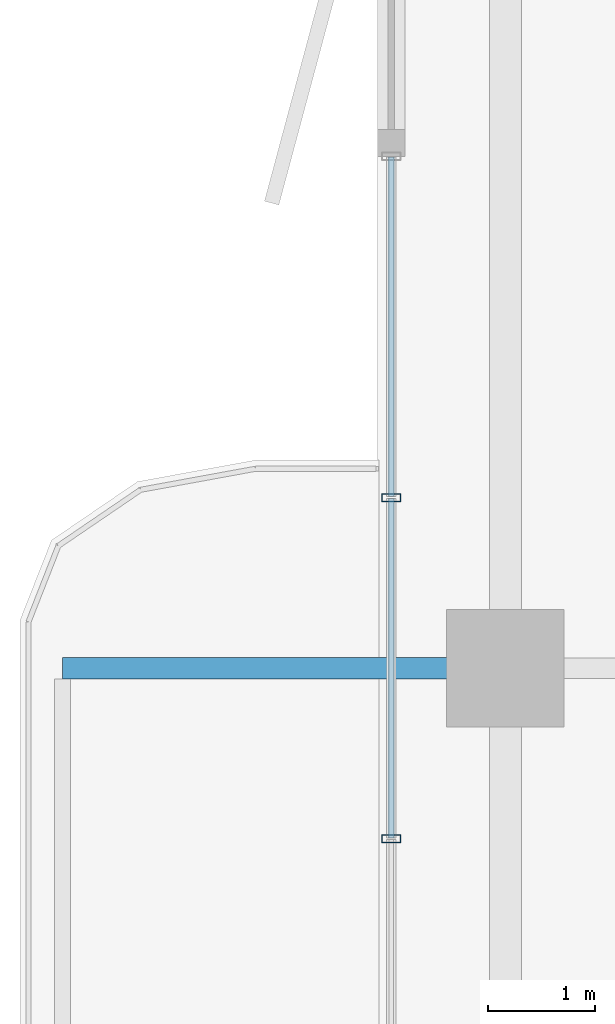
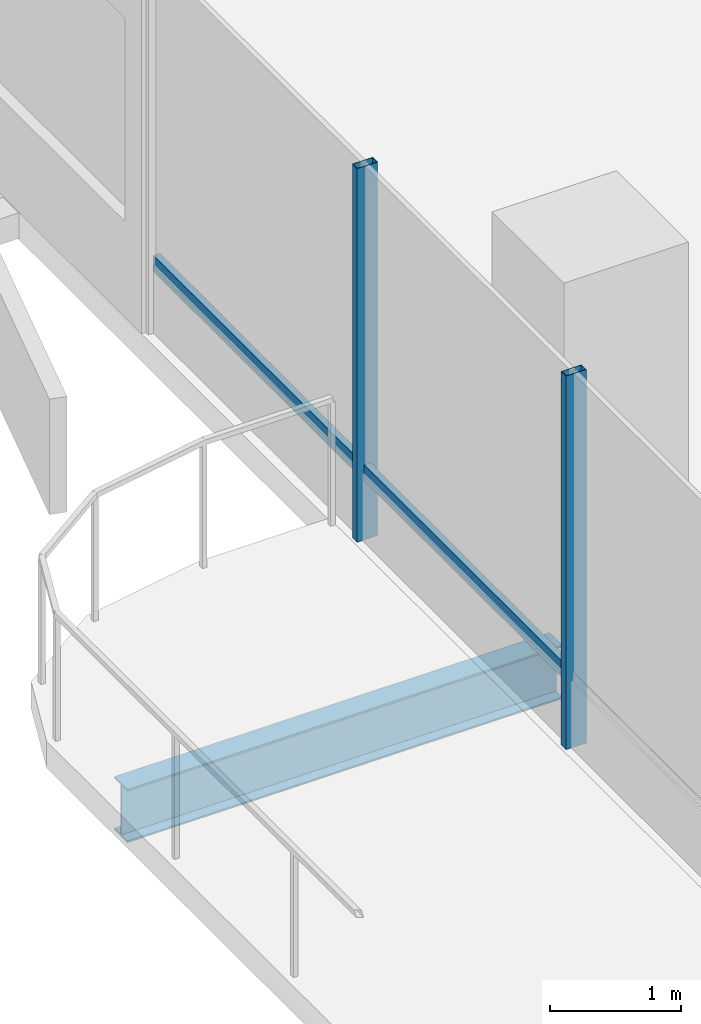
# One storey, part 6 of 24: 4 members, 1 beam, 1 element without a shape of its own.
"""IFC4 building model written with IfcOpenShell, lengths in metres."""

import ifcopenshell
import ifcopenshell.guid

model = None  # the IFC model being written
_history = None  # IfcOwnerHistory: only IFC2X3 demands one
_inside = {}  # id of a spatial element -> (the spatial element, [elements in it])
_under = {}  # id of a project, library or spatial element -> (it, [spatial elements below it])
_declared = {}  # id of a project -> (the project, [libraries it declares])
_typed = {}  # id of a type object -> (the type object, [elements of that type])
_made_of = {}  # id of a material, layer set ... -> (it, [elements and type objects made of it])


def new_model(schema):
    """Start an empty IFC model of exactly this schema.

    Asked for "IFC4X3", IfcOpenShell would pick the latest addendum, in which some entities
    have other attributes; the version numbers below select the first issue.
    IFC2X3 requires an IfcOwnerHistory on every rooted entity: one is made here for all.
    """
    global model, _history
    if schema == "IFC4X3":
        model = ifcopenshell.file(schema_version=(4, 3, 0, 0))
    else:
        model = ifcopenshell.file(schema=schema)
    _inside.clear()
    _under.clear()
    _declared.clear()
    _typed.clear()
    _made_of.clear()
    _history = None
    if model.schema == "IFC2X3":
        org = make("IfcOrganization", Name="unknown")
        user = make(
            "IfcPersonAndOrganization",
            ThePerson=make("IfcPerson", FamilyName="unknown"),
            TheOrganization=org,
        )
        app = make(
            "IfcApplication",
            ApplicationDeveloper=org,
            Version="unknown",
            ApplicationFullName="unknown",
            ApplicationIdentifier="unknown",
        )
        _history = make(
            "IfcOwnerHistory",
            OwningUser=user,
            OwningApplication=app,
            ChangeAction="ADDED",
            CreationDate=0,
        )
    return model


def make(cls, **values):
    """One entity of the class cls with the attributes given. An attribute that is None is left unset."""
    return model.create_entity(
        cls, **{name: value for name, value in values.items() if value is not None}
    )


def rooted(cls, **values):
    """An entity with a GlobalId (a new one), such as an element, a storey or a relation."""
    return make(cls, GlobalId=ifcopenshell.guid.new(), OwnerHistory=_history, **values)


def si_unit(unit_type, name, prefix=None):
    """IfcSIUnit, for example si_unit("LENGTHUNIT", "METRE", prefix="MILLI")."""
    return make("IfcSIUnit", UnitType=unit_type, Prefix=prefix, Name=name)


def assignment(units):
    """IfcUnitAssignment: the units of a project."""
    return None if units is None else make("IfcUnitAssignment", Units=units)


def point(xyz):
    """IfcCartesianPoint."""
    return None if xyz is None else make("IfcCartesianPoint", Coordinates=xyz)


def direction(xyz):
    """IfcDirection."""
    return None if xyz is None else make("IfcDirection", DirectionRatios=xyz)


def frame(location, z_axis=None, x_axis=None):
    """IfcAxis2Placement3D, a coordinate frame: its origin and axes. An axis left out is left unset."""
    return make(
        "IfcAxis2Placement3D",
        Location=point(location),
        Axis=direction(z_axis),
        RefDirection=direction(x_axis),
    )


def frame_2d(location, x_axis=None):
    """IfcAxis2Placement2D, a coordinate frame in the plane: its origin and x axis."""
    return make(
        "IfcAxis2Placement2D", Location=point(location), RefDirection=direction(x_axis)
    )


def origin():
    """The frame at (0, 0, 0) with its axes left unset."""
    return frame((0.0, 0.0, 0.0))


def origin_2d():
    """The frame at (0, 0) in the plane with its x axis left unset."""
    return frame_2d((0.0, 0.0))


def place(relative_to, where):
    """IfcLocalPlacement: puts the frame where relative to a parent placement (None: the world)."""
    return make(
        "IfcLocalPlacement", PlacementRelTo=relative_to, RelativePlacement=where
    )


def context(
    kind, dimensions, precision=None, world=None, true_north=None, identifier=None
):
    """IfcGeometricRepresentationContext, for example the 3D "Model" context."""
    return make(
        "IfcGeometricRepresentationContext",
        ContextIdentifier=identifier,
        ContextType=kind,
        CoordinateSpaceDimension=dimensions,
        Precision=precision,
        WorldCoordinateSystem=world,
        TrueNorth=true_north,
    )


def subcontext(parent, identifier, kind, view, scale=None):
    """IfcGeometricRepresentationSubContext, for example "Body" below "Model"."""
    return make(
        "IfcGeometricRepresentationSubContext",
        ContextIdentifier=identifier,
        ContextType=kind,
        ParentContext=parent,
        TargetScale=scale,
        TargetView=view,
    )


def project(units=None, contexts=None):
    """IfcProject with its units and contexts."""
    return rooted(
        "IfcProject",
        Name="project",
        RepresentationContexts=contexts,
        UnitsInContext=assignment(units),
    )


def spatial(cls, under=None, at=None, **own):
    """A site, building, storey or space (cls), placed at a placement, below another one or the project."""
    s = rooted(cls, ObjectPlacement=at, **own)
    if under is not None:
        _under.setdefault(under.id(), (under, []))[1].append(s)
    return s


def profile(cls, at=None, kind="AREA", **sizes):
    """A parametric profile (cls). Its sizes go by their IFC names, for example OverallWidth=200.0."""
    return make(cls, ProfileType=kind, Position=at, **sizes)


def hollow_rectangle(**sizes):
    """IfcRectangleHollowProfileDef."""
    return profile("IfcRectangleHollowProfileDef", **sizes)


def i_section(**sizes):
    """IfcIShapeProfileDef."""
    return profile("IfcIShapeProfileDef", **sizes)


def extrude(swept, where, along, depth):
    """IfcExtrudedAreaSolid: the profile swept, set in the frame where, extruded along a direction by depth."""
    return make(
        "IfcExtrudedAreaSolid",
        SweptArea=swept,
        Position=where,
        ExtrudedDirection=direction(along),
        Depth=depth,
    )


def shape(context_of_items, identifier, shape_type, items):
    """IfcShapeRepresentation: the items that make up one representation, for example the "Body"."""
    return make(
        "IfcShapeRepresentation",
        ContextOfItems=context_of_items,
        RepresentationIdentifier=identifier,
        RepresentationType=shape_type,
        Items=items,
    )


def material(Name=None, Category=None):
    """IfcMaterial."""
    return make("IfcMaterial", Name=Name, Category=Category)


def layer(
    of_material, thickness, ventilated=None, Name=None, Category=None, Priority=None
):
    """IfcMaterialLayer: one layer of a wall or slab, of a material (None: an air gap)."""
    return make(
        "IfcMaterialLayer",
        Material=of_material,
        LayerThickness=thickness,
        IsVentilated=ventilated,
        Name=Name,
        Category=Category,
        Priority=Priority,
    )


def layer_set(layers, Name=None):
    """IfcMaterialLayerSet."""
    return make("IfcMaterialLayerSet", MaterialLayers=layers, LayerSetName=Name)


def material_profile(
    of_material, cross_section, Name=None, Category=None, Priority=None
):
    """IfcMaterialProfile: a cross section and its material."""
    return make(
        "IfcMaterialProfile",
        Name=Name,
        Material=of_material,
        Profile=cross_section,
        Priority=Priority,
        Category=Category,
    )


def profile_set(profiles, Name=None, composite=None):
    """IfcMaterialProfileSet."""
    return make(
        "IfcMaterialProfileSet",
        Name=Name,
        MaterialProfiles=profiles,
        CompositeProfile=composite,
    )


def made_of(thing, what):
    """Note that an element or type object is made of a material, layer set ...; save() writes the relation."""
    if what is not None:
        _made_of.setdefault(what.id(), (what, []))[1].append(thing)
    return thing


def type_object(cls, material=None, **own):
    """A type object (cls), such as IfcWallType, which elements share."""
    return made_of(rooted(cls, **own), material)


def element(
    cls,
    number,
    at=None,
    inside=None,
    cuts=None,
    type_object=None,
    material=None,
    context=None,
    identifier="Body",
    shape_type=None,
    held_by="IfcProductDefinitionShape",
    body=None,
    shapes=None,
    **own,
):
    """One element of the class cls, such as IfcWall. Its Tag is "e" and its number.

    at: its placement. inside: the storey or other place that contains it. cuts: it is an
    opening in that element (IfcRelVoidsElement). A single representation is given by context,
    identifier, shape_type and body (its items); several are given by shapes. held_by: the class
    of the entity that holds the representations. save() writes the other relations.
    """
    e = rooted(cls, Tag="e%d" % number, ObjectPlacement=at, **own)
    if body is not None:
        shapes = [shape(context, identifier, shape_type, body)]
    if shapes is not None:
        e.Representation = make(held_by, Representations=shapes)
    if inside is not None:
        _inside.setdefault(inside.id(), (inside, []))[1].append(e)
    if cuts is not None:
        rooted(
            "IfcRelVoidsElement", RelatingBuildingElement=cuts, RelatedOpeningElement=e
        )
    if type_object is not None:
        _typed.setdefault(type_object.id(), (type_object, []))[1].append(e)
    return made_of(e, material)


def aggregate(whole, parts):
    """IfcRelAggregates: a whole, such as a stair, and the parts it consists of."""
    return rooted("IfcRelAggregates", RelatingObject=whole, RelatedObjects=parts)


def save(model, path):
    """Write the relations noted so far, then the file.

    IfcRelAggregates (storeys below a building ...), IfcRelContainedInSpatialStructure (elements
    in a storey), IfcRelDefinesByType, IfcRelAssociatesMaterial and IfcRelDeclares: one each for
    every whole, place, type object, material and project.
    """
    for whole, parts in _under.values():
        aggregate(whole, parts)
    for where, things in _inside.values():
        rooted(
            "IfcRelContainedInSpatialStructure",
            RelatedElements=things,
            RelatingStructure=where,
        )
    for kind, things in _typed.values():
        rooted("IfcRelDefinesByType", RelatedObjects=things, RelatingType=kind)
    for what, things in _made_of.values():
        rooted("IfcRelAssociatesMaterial", RelatedObjects=things, RelatingMaterial=what)
    for by, libraries in _declared.values():
        rooted("IfcRelDeclares", RelatingContext=by, RelatedDefinitions=libraries)
    model.write(path)


model = new_model("IFC4")

# Units and contexts
model_context = context("Model", 3, precision=1e-05, world=origin(), true_north=direction((0.0, 1.0)))
body_context = subcontext(model_context, "Body", "Model", "MODEL_VIEW")
ifc_project = project(units=[si_unit("LENGTHUNIT", "METRE"), si_unit("AREAUNIT", "SQUARE_METRE"), si_unit("VOLUMEUNIT", "CUBIC_METRE"), si_unit("PLANEANGLEUNIT", "RADIAN"), si_unit("MASSUNIT", "GRAM", prefix="KILO")], contexts=[model_context])

# Site, building, storey
site_placement = place(None, origin())
site = spatial("IfcSite", under=ifc_project, at=site_placement, CompositionType="ELEMENT")
building_placement = place(site_placement, origin())
building = spatial("IfcBuilding", under=site, at=building_placement, Name="Belovzor Exchange Tower", CompositionType="ELEMENT")
storey_placement = place(building_placement, frame((0.0, 0.0, 168.300048828125)))
storey = spatial("IfcBuildingStorey", under=building, at=storey_placement, Name="L41", CompositionType="ELEMENT", Elevation=168.300048828125)

# Beam
ifc_material_1 = material(Name="Steel S355", Category="steel")
ifc_material_profile_1 = material_profile(ifc_material_1, i_section(OverallWidth=0.199951171875, OverallDepth=0.5, WebThickness=0.01025390625, FlangeThickness=0.01611328125, at=origin_2d()))
ifc_profile_set_1 = profile_set([ifc_material_profile_1], Name="Steel S355")
beam_type = type_object("IfcBeamType", Name="Planted Balcony Cantilever Beam IPE 500", PredefinedType="BEAM", material=ifc_profile_set_1)
beam_placement = place(storey_placement, frame((5.39697265625, 28.800048828125, -0.505126953125), z_axis=(-1.0, 0.0, 0.0), x_axis=(0.0, -1.0, 0.0)))
element("IfcBeam", 1, at=beam_placement, inside=storey, type_object=beam_type, Name="BC-500 Planted Balcony Cantilever Beam IPE 500", PredefinedType="BEAM", context=body_context, shape_type="SweptSolid", body=[
    extrude(i_section(OverallWidth=0.199951171875, OverallDepth=0.5, WebThickness=0.01025390625, FlangeThickness=0.01611328125, at=origin_2d()), origin(), (0.0, 0.0, 1.0), 3.849853515625),
])

# Curtain wall, members
ifc_material_2 = material(Name="Anodised Aluminium Framing", Category="aluminium")
ifc_layer = layer(ifc_material_2, 0.179931640625)
ifc_layer_set = layer_set([ifc_layer], Name="Anodised Aluminium Framing")
curtain_wall_type = type_object("IfcCurtainWallType", Name="Recessed Loggia Low-Iron Triple-Glazed Curtain Wall", PredefinedType="NOTDEFINED", material=ifc_layer_set)
curtain_wall_placement = place(storey_placement, origin())
curtain_wall = element("IfcCurtainWall", 2, at=curtain_wall_placement, inside=storey, type_object=curtain_wall_type, Name="CW3 Recessed Loggia Low-Iron Triple-Glazed Curtain Wall L41", PredefinedType="NOTDEFINED")
ifc_material_3 = material(Name="Steel S355", Category="steel")
ifc_material_profile_2 = material_profile(ifc_material_3, hollow_rectangle(XDim=0.074951171875, YDim=0.179931640625, WallThickness=0.0048828125, at=origin_2d()))
ifc_profile_set_2 = profile_set([ifc_material_profile_2], Name="Steel S355")
member_type_1 = type_object("IfcMemberType", Name="Thermally Broken Curtain Wall Mullion 180x75", PredefinedType="MULLION", material=ifc_profile_set_2)
member_1_placement = place(storey_placement, frame((4.6298828125, 27.199951171875, 0.0), z_axis=(0.0, 0.0, 1.0), x_axis=(0.0, 1.0, 0.0)))
member_1 = element("IfcMember", 3, at=member_1_placement, type_object=member_type_1, Name="CW-M180 Curtain Wall Mullion 2", PredefinedType="MULLION", context=body_context, shape_type="SweptSolid", body=[
    extrude(hollow_rectangle(XDim=0.074951171875, YDim=0.179931640625, WallThickness=0.0048828125, at=origin_2d()), origin(), (0.0, 0.0, 1.0), 3.494873046875),
])
member_2_placement = place(storey_placement, frame((4.6298828125, 30.39990234375, 0.0), z_axis=(0.0, 0.0, 1.0), x_axis=(0.0, 1.0, 0.0)))
member_2 = element("IfcMember", 4, at=member_2_placement, type_object=member_type_1, Name="CW-M180 Curtain Wall Mullion 3", PredefinedType="MULLION", context=body_context, shape_type="SweptSolid", body=[
    extrude(hollow_rectangle(XDim=0.074951171875, YDim=0.179931640625, WallThickness=0.0048828125, at=origin_2d()), origin(), (0.0, 0.0, 1.0), 3.494873046875),
])
ifc_material_4 = material(Name="Steel S355", Category="steel")
ifc_material_profile_3 = material_profile(ifc_material_4, hollow_rectangle(XDim=0.06005859375, YDim=0.14990234375, WallThickness=0.00390625, at=origin_2d()))
ifc_profile_set_3 = profile_set([ifc_material_profile_3], Name="Steel S355")
member_type_2 = type_object("IfcMemberType", Name="Thermally Broken Curtain Wall Transom 150x60", PredefinedType="USERDEFINED", material=ifc_profile_set_3)
member_3_placement = place(storey_placement, frame((4.6298828125, 27.2080078125, 0.62890625), z_axis=(0.0, 1.0, 0.0), x_axis=(-1.0, 0.0, 0.0)))
member_3 = element("IfcMember", 5, at=member_3_placement, type_object=member_type_2, Name="CW-T150 Curtain Wall Transom 2", ObjectType="TRANSOM", PredefinedType="USERDEFINED", context=body_context, shape_type="SweptSolid", body=[
    extrude(hollow_rectangle(XDim=0.06005859375, YDim=0.14990234375, WallThickness=0.00390625, at=origin_2d()), origin(), (0.0, 0.0, 1.0), 3.18408203125),
])
member_4_placement = place(storey_placement, frame((4.6298828125, 30.407958984375, 0.62890625), z_axis=(0.0, 1.0, 0.0), x_axis=(-1.0, 0.0, 0.0)))
member_4 = element("IfcMember", 6, at=member_4_placement, type_object=member_type_2, Name="CW-T150 Curtain Wall Transom 3", ObjectType="TRANSOM", PredefinedType="USERDEFINED", context=body_context, shape_type="SweptSolid", body=[
    extrude(hollow_rectangle(XDim=0.06005859375, YDim=0.14990234375, WallThickness=0.00390625, at=origin_2d()), origin(), (0.0, 0.0, 1.0), 3.18408203125),
])
aggregate(curtain_wall, [member_1, member_2, member_3, member_4])

save(model, "model.ifc")
